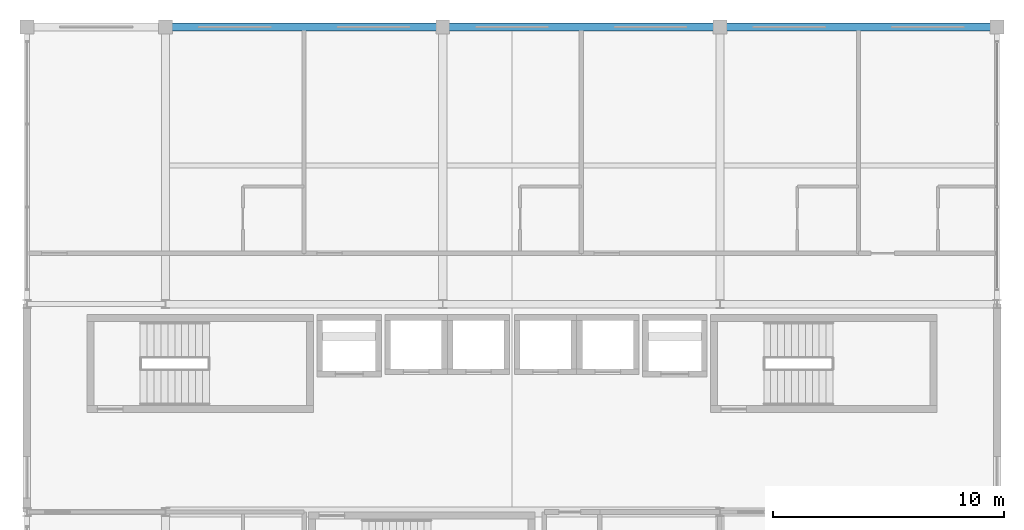
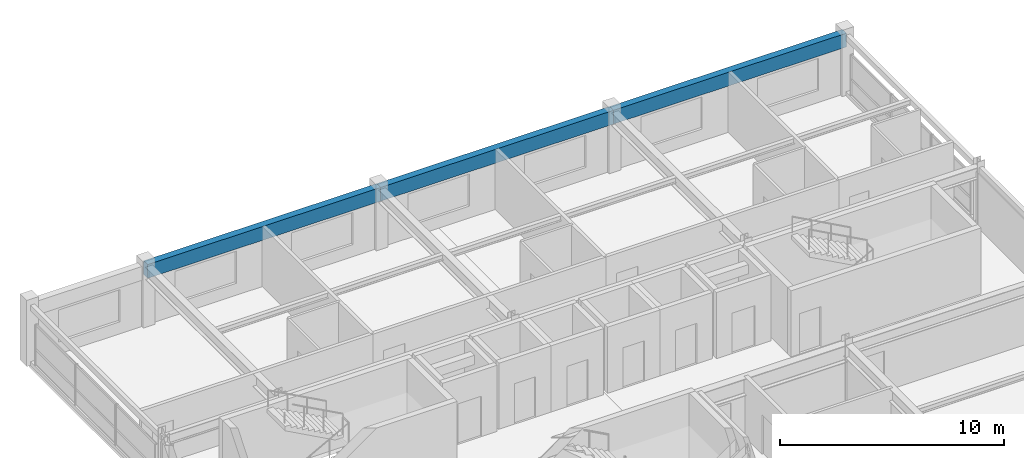
# One storey, part 16 of 22: 3 beams.
"""IFC4 building model written with IfcOpenShell, lengths in metres."""

from ifc_helpers import new_model, si_unit, direction, frame, origin, origin_2d, place, context, subcontext, project, spatial, rectangle, extrude, material, material_profile, profile_set, type_object, element, save


model = new_model("IFC4")

# Units and contexts
model_context = context("Model", 3, precision=1e-05, world=origin(), true_north=direction((0.0, 1.0)))
body_context = subcontext(model_context, "Body", "Model", "MODEL_VIEW")
ifc_project = project(units=[si_unit("LENGTHUNIT", "METRE"), si_unit("AREAUNIT", "SQUARE_METRE"), si_unit("VOLUMEUNIT", "CUBIC_METRE"), si_unit("PLANEANGLEUNIT", "RADIAN"), si_unit("MASSUNIT", "GRAM", prefix="KILO")], contexts=[model_context])

# Site, building, storey
site_placement = place(None, origin())
site = spatial("IfcSite", under=ifc_project, at=site_placement, CompositionType="ELEMENT")
building_placement = place(site_placement, origin())
building = spatial("IfcBuilding", under=site, at=building_placement, Name="Kaldorvane Square Convention Centre", CompositionType="ELEMENT")
storey_placement = place(building_placement, frame((0.0, 0.0, 67.19999694824219)))
storey = spatial("IfcBuildingStorey", under=building, at=storey_placement, Name="L16", CompositionType="ELEMENT", Elevation=67.19999694824219)

# Beams
ifc_material = material(Name="Concrete f'c = 42 MPa (Normalweight)", Category="concrete")
ifc_material_profile = material_profile(ifc_material, rectangle(XDim=0.350006103515625, YDim=0.75, at=origin_2d()), Name="RCSP750X350")
ifc_profile_set = profile_set([ifc_material_profile], Name="Concrete f'c = 42 MPa (Normalweight)")
beam_type = type_object("IfcBeamType", Name="BM-SP-RC750", PredefinedType="SPANDREL", material=ifc_profile_set)
for number, where, z_axis, x_axis, name in (
    (1, (42.0, 117.0, 2.9010009765625), (1.0, 0.0, 0.0), (0.0, 1.0, 0.0), "Perimeter Spandrel (L16)"),
    (2, (54.0, 117.0, 2.9010009765625), (1.0, 0.0, 0.0), (0.0, 1.0, 0.0), "Perimeter Spandrel (L16)"),
    (3, (66.0, 117.0, 2.9010009765625), (1.0, 0.0, 0.0), (0.0, 1.0, 0.0), "Perimeter Spandrel (L16)"),
):
    element("IfcBeam", number, at=place(storey_placement, frame(where, z_axis=z_axis, x_axis=x_axis)), inside=storey, type_object=beam_type, Name=name, PredefinedType="SPANDREL", context=body_context, shape_type="SweptSolid", body=[
        extrude(rectangle(XDim=0.350006103515625, YDim=0.75, at=origin_2d()), origin(), (0.0, 0.0, 1.0), 12.0),
    ])

save(model, "model.ifc")
